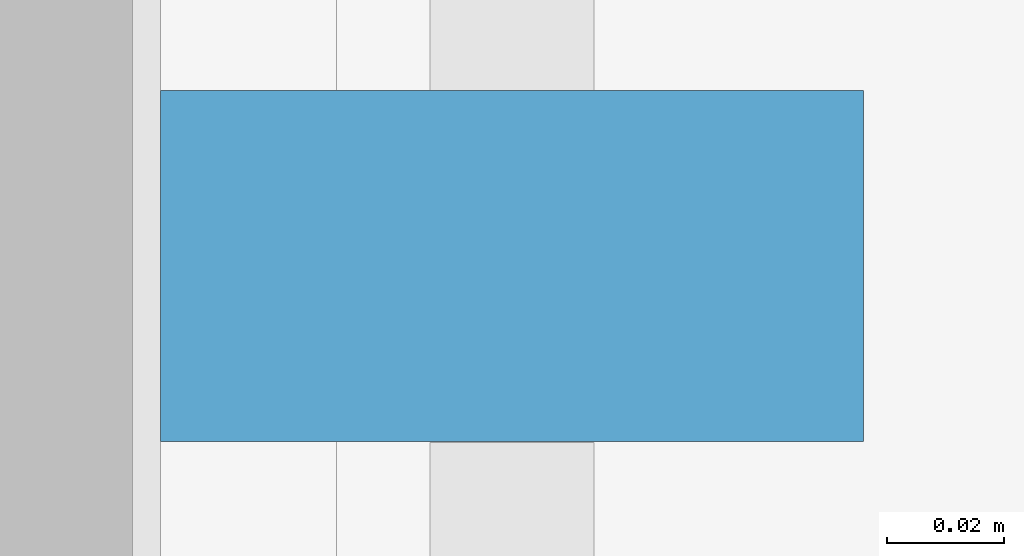
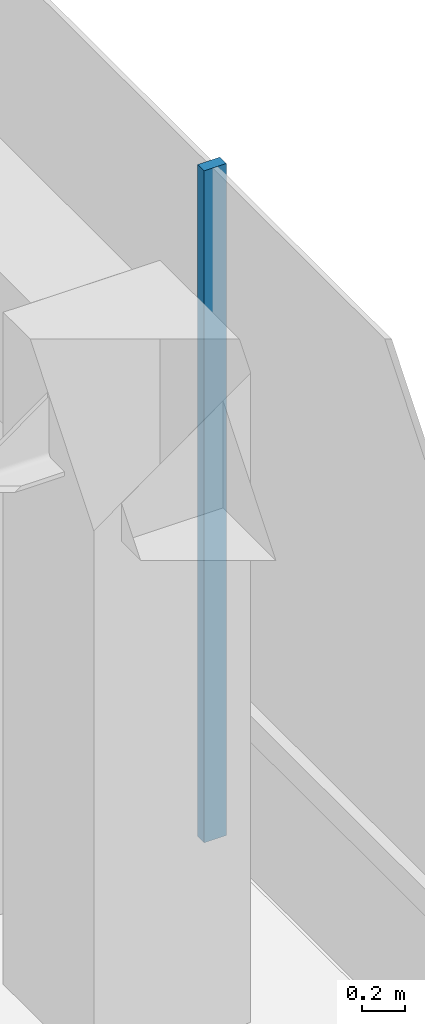
# One storey, part 14 of 23: 1 member, 1 element without a shape of its own.
"""IFC4 building model written with IfcOpenShell, lengths in metres."""

from ifc_helpers import new_model, si_unit, direction, frame, origin, origin_2d, place, context, subcontext, project, spatial, rectangle, extrude, material, layer, layer_set, material_profile, profile_set, type_object, element, aggregate, save


model = new_model("IFC4")

# Units and contexts
model_context = context("Model", 3, precision=1e-05, world=origin(), true_north=direction((0.0, 1.0)))
body_context = subcontext(model_context, "Body", "Model", "MODEL_VIEW")
ifc_project = project(units=[si_unit("LENGTHUNIT", "METRE"), si_unit("AREAUNIT", "SQUARE_METRE"), si_unit("VOLUMEUNIT", "CUBIC_METRE"), si_unit("PLANEANGLEUNIT", "RADIAN"), si_unit("MASSUNIT", "GRAM", prefix="KILO")], contexts=[model_context])

# Site, building, storey
site_placement = place(None, origin())
site = spatial("IfcSite", under=ifc_project, at=site_placement, CompositionType="ELEMENT")
building_placement = place(site_placement, origin())
building = spatial("IfcBuilding", under=site, at=building_placement, Name="Welwitschia Terrace Campus", CompositionType="ELEMENT")
storey_placement = place(building_placement, frame((0.0, 0.0, 188.60009765625)))
storey = spatial("IfcBuildingStorey", under=building, at=storey_placement, Name="L42", CompositionType="ELEMENT", Elevation=188.60009765625)

# Curtain wall, member
ifc_material_1 = material(Name="Bronze anodised aluminium", Category="aluminium")
ifc_layer = layer(ifc_material_1, 0.1201171875)
ifc_layer_set = layer_set([ifc_layer], Name="Bronze anodised aluminium")
curtain_wall_type = type_object("IfcCurtainWallType", Name="Curtain wall CW2 tower 6000", PredefinedType="NOTDEFINED", material=ifc_layer_set)
curtain_wall_placement = place(storey_placement, origin())
curtain_wall = element("IfcCurtainWall", 1, at=curtain_wall_placement, inside=storey, type_object=curtain_wall_type, Name="CW L42.9.0", PredefinedType="NOTDEFINED")
ifc_material_2 = material(Name="Bronze anodised aluminium", Category="aluminium")
ifc_material_profile = material_profile(ifc_material_2, rectangle(XDim=0.1201171875, YDim=0.06005859375, at=origin_2d()))
ifc_profile_set = profile_set([ifc_material_profile], Name="Bronze anodised aluminium")
member_type = type_object("IfcMemberType", Name="Mullion 60x120", PredefinedType="MULLION", material=ifc_profile_set)
member_placement = place(storey_placement, frame((25.030029296875, 44.985595703125, 0.0), z_axis=(0.0, 0.0, 1.0), x_axis=(-1.0, 0.0, 0.0)))
member = element("IfcMember", 2, at=member_placement, type_object=member_type, Name="Mullion L42.9.0.3", PredefinedType="MULLION", context=body_context, shape_type="SweptSolid", body=[
    extrude(rectangle(XDim=0.1201171875, YDim=0.06005859375, at=origin_2d()), origin(), (0.0, 0.0, 1.0), 3.849853515625),
])
aggregate(curtain_wall, [member])

save(model, "model.ifc")
